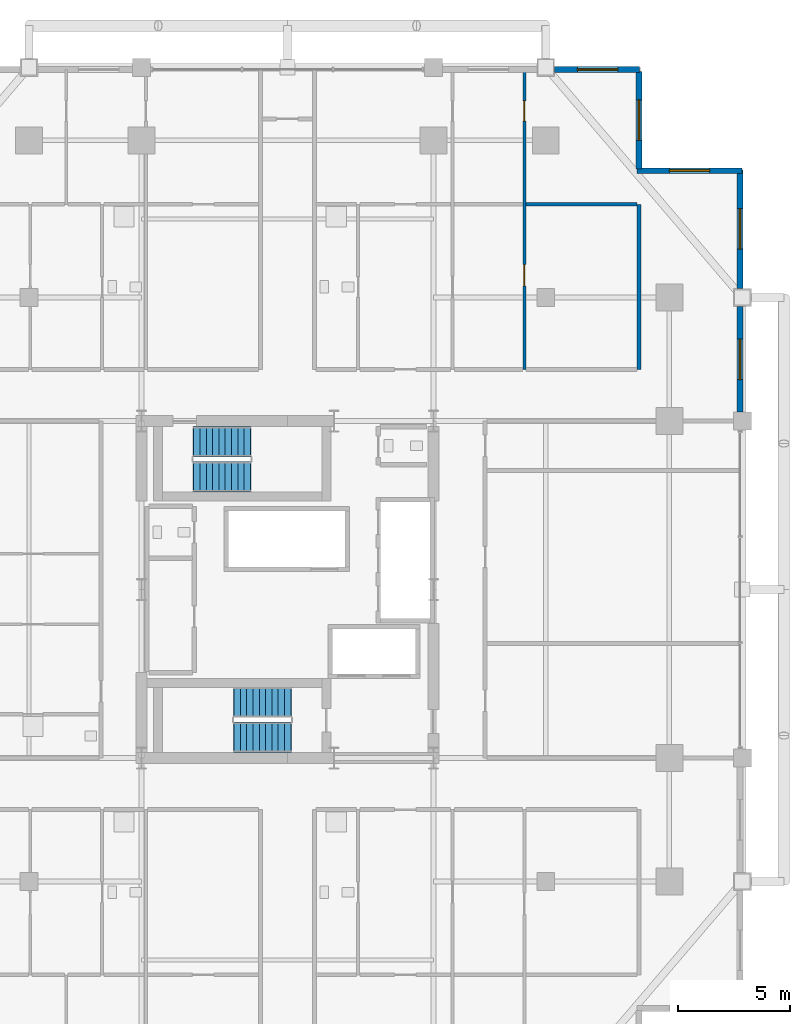
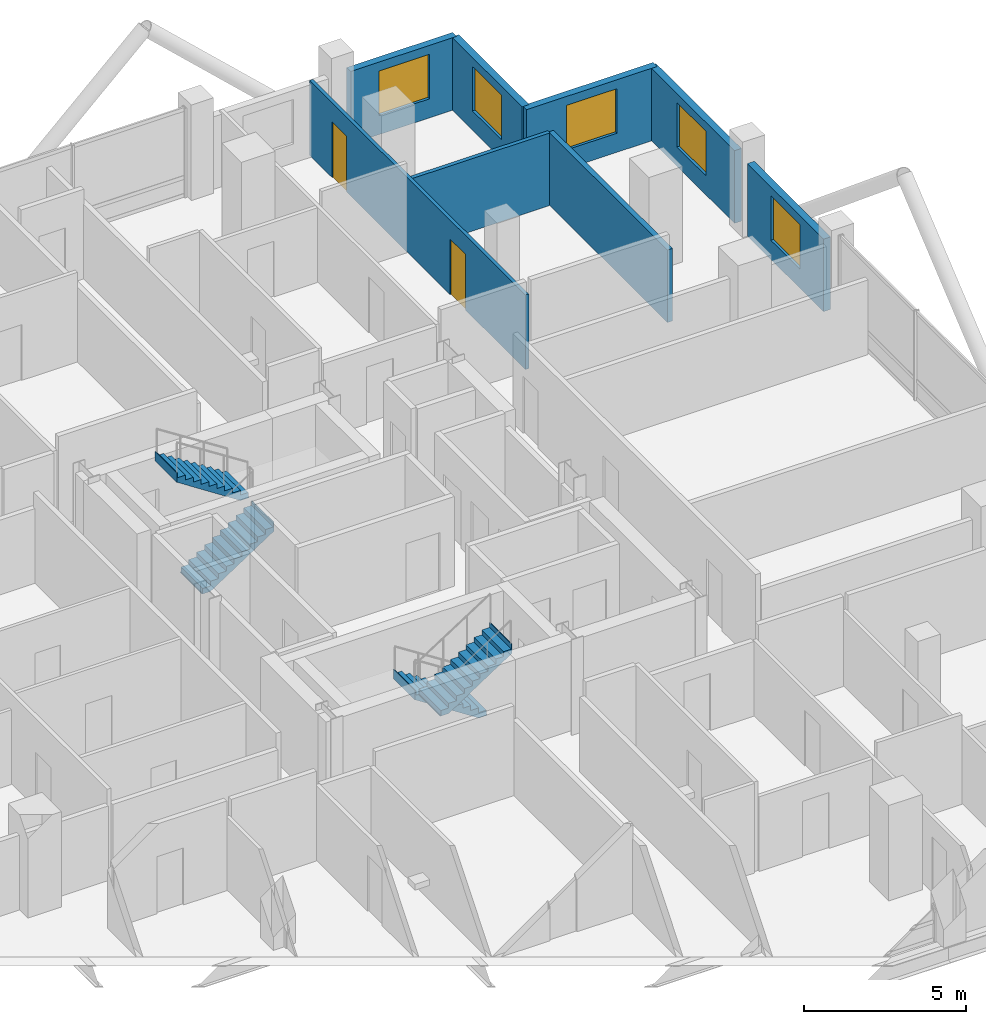
# One storey, part 23 of 25: 8 walls, 5 windows, 4 stair flights, 2 doors, 7 openings, 2 elements without a shape of their own.
"""IFC4 building model written with IfcOpenShell, lengths in metres."""

from ifc_helpers import new_model, si_unit, direction, frame, frame_2d, origin, place, context, subcontext, project, spatial, polyline, rectangle, outline, extrude, material, layer, layer_set, type_object, element, fill, aggregate, save


model = new_model("IFC4")

# Units and contexts
model_context = context("Model", 3, precision=1e-05, world=origin(), true_north=direction((0.0, 1.0)))
body_context = subcontext(model_context, "Body", "Model", "MODEL_VIEW")
ifc_project = project(units=[si_unit("LENGTHUNIT", "METRE"), si_unit("AREAUNIT", "SQUARE_METRE"), si_unit("VOLUMEUNIT", "CUBIC_METRE"), si_unit("PLANEANGLEUNIT", "RADIAN"), si_unit("MASSUNIT", "GRAM", prefix="KILO")], contexts=[model_context])

# Site, building, storey
site_placement = place(None, origin())
site = spatial("IfcSite", under=ifc_project, at=site_placement, CompositionType="ELEMENT")
building_placement = place(site_placement, origin())
building = spatial("IfcBuilding", under=site, at=building_placement, Name="Barlavira Tower and Art Museum", CompositionType="ELEMENT")
storey_placement = place(building_placement, frame((0.0, 0.0, 133.199951171875)))
storey = spatial("IfcBuildingStorey", under=building, at=storey_placement, Name="L33", CompositionType="ELEMENT", Elevation=133.199951171875)

# Wall, openings, doors
ifc_material_1 = material(Name="Gypsum acoustic stud partition", Category="gypsum")
ifc_layer_1 = layer(ifc_material_1, 0.1201171875, Name="Gypsum acoustic stud partition")
ifc_layer_set_1 = layer_set([ifc_layer_1], Name="Gypsum acoustic stud partition")
wall_type_1 = type_object("IfcWallType", Name="Apartment Internal Acoustic Partition 120", PredefinedType="PARTITIONING", material=ifc_layer_set_1)
wall_1_placement = place(storey_placement, frame((10.550048828125, 9.800048828125, 0.0), z_axis=(0.0, 0.0, 1.0), x_axis=(0.0, 1.0, 0.0)))
wall_1 = element("IfcWall", 1, at=wall_1_placement, inside=storey, type_object=wall_type_1, Name="L33 Partition Wall 26", PredefinedType="PARTITIONING", context=body_context, shape_type="SweptSolid", body=[
    extrude(rectangle(XDim=13.349853515625, YDim=0.1201171875, at=frame_2d((6.6748046875, 0.0))), origin(), (0.0, 0.0, 1.0), 2.816162109375),
])
opening_1_placement = place(wall_1_placement, frame((3.71337890625, 0.0, 0.0)))
opening_1 = element("IfcOpeningElement", 2, at=opening_1_placement, cuts=wall_1, Name="Opening D-02", PredefinedType="OPENING", context=body_context, shape_type="SweptSolid", body=[
    extrude(rectangle(XDim=0.949951171875, YDim=2.10009765625, at=frame_2d((0.47509765625, 1.050048828125))), frame((0.0, 0.070068359375, 0.0), z_axis=(0.0, -1.0, 0.0), x_axis=(1.0, 0.0, 0.0)), (0.0, 0.0, 1.0), 0.14013671875),
])
opening_2_placement = place(wall_1_placement, frame((11.051025390625, 0.0, 0.0)))
opening_2 = element("IfcOpeningElement", 3, at=opening_2_placement, cuts=wall_1, Name="Opening D-01", PredefinedType="OPENING", context=body_context, shape_type="SweptSolid", body=[
    extrude(rectangle(XDim=0.89990234375, YDim=2.10009765625, at=frame_2d((0.449951171875, 1.050048828125))), frame((0.0, 0.070068359375, 0.0), z_axis=(0.0, -1.0, 0.0), x_axis=(1.0, 0.0, 0.0)), (0.0, 0.0, 1.0), 0.14013671875),
])
ifc_material_2 = material(Name="Engineered coastal hardwood", Category="wood")
door_type_1 = type_object("IfcDoorType", Name="Internal Bedroom Timber Flush Door 900x2100", OperationType="NOTDEFINED", PredefinedType="DOOR", material=ifc_material_2)
door_1_placement = place(opening_2_placement, origin())
door_1 = element("IfcDoor", 4, at=door_1_placement, inside=storey, type_object=door_type_1, Name="Apartment NE1 Bedroom 2 Door", OperationType="SINGLE_SWING_RIGHT", OverallHeight=2.10009765625, OverallWidth=0.89990234375, PredefinedType="DOOR", context=body_context, shape_type="SweptSolid", body=[
    extrude(rectangle(XDim=0.89990234375, YDim=2.10009765625, at=frame_2d((0.449951171875, 1.050048828125))), frame((0.0, 0.02490234375, 0.0), z_axis=(0.0, -1.0, 0.0), x_axis=(1.0, 0.0, 0.0)), (0.0, 0.0, 1.0), 0.050048828125),
])
fill(opening_2, door_1)
door_type_2 = type_object("IfcDoorType", Name="Living and Salon Glazed-Leaf Door 950x2100", OperationType="NOTDEFINED", PredefinedType="DOOR", material=ifc_material_2)
door_2_placement = place(opening_1_placement, origin())
door_2 = element("IfcDoor", 5, at=door_2_placement, inside=storey, type_object=door_type_2, Name="Apartment NE1 Dining Salon Door", OperationType="SINGLE_SWING_LEFT", OverallHeight=2.10009765625, OverallWidth=0.949951171875, PredefinedType="DOOR", context=body_context, shape_type="SweptSolid", body=[
    extrude(rectangle(XDim=0.949951171875, YDim=2.10009765625, at=frame_2d((0.47509765625, 1.050048828125))), frame((0.0, 0.02490234375, 0.0), z_axis=(0.0, -1.0, 0.0), x_axis=(1.0, 0.0, 0.0)), (0.0, 0.0, 1.0), 0.050048828125),
])
fill(opening_1, door_2)

# Walls
ifc_layer_2 = layer(ifc_material_1, 0.179931640625, Name="Gypsum acoustic stud partition")
ifc_layer_set_2 = layer_set([ifc_layer_2], Name="Gypsum acoustic stud partition")
wall_type_2 = type_object("IfcWallType", Name="Inter-Tenancy Party Partition Wall 180", PredefinedType="PARTITIONING", material=ifc_layer_set_2)
wall_2_placement = place(storey_placement, frame((15.64990234375, 9.800048828125, 0.0), z_axis=(0.0, 0.0, 1.0), x_axis=(0.0, 1.0, 0.0)))
element("IfcWall", 6, at=wall_2_placement, inside=storey, type_object=wall_type_2, Name="L33 Partition Wall 28", PredefinedType="PARTITIONING", context=body_context, shape_type="SweptSolid", body=[
    extrude(rectangle(XDim=7.349853515625, YDim=0.179931640625, at=frame_2d((3.6748046875, 0.0))), origin(), (0.0, 0.0, 1.0), 2.736083984375),
])
ifc_layer_3 = layer(ifc_material_1, 0.139892578125, Name="Gypsum acoustic stud partition")
ifc_layer_set_3 = layer_set([ifc_layer_3], Name="Gypsum acoustic stud partition")
wall_type_3 = type_object("IfcWallType", Name="Moisture-Resistant Bathroom Partition 140", PredefinedType="PARTITIONING", material=ifc_layer_set_3)
wall_3_placement = place(storey_placement, frame((10.6298828125, 17.14990234375, 0.0), z_axis=(0.0, 0.0, 1.0), x_axis=(1.0, 0.0, 0.0)))
element("IfcWall", 7, at=wall_3_placement, inside=storey, type_object=wall_type_3, Name="L33 Partition Wall 81", PredefinedType="PARTITIONING", context=body_context, shape_type="SweptSolid", body=[
    extrude(rectangle(XDim=4.940185546875, YDim=0.139892578125, at=frame_2d((2.47021484375, 0.0))), origin(), (0.0, 0.0, 1.0), 2.736083984375),
])

# Wall, opening, window
ifc_material_3 = material(Name="Precast concrete C40", Category="concrete")
ifc_layer_4 = layer(ifc_material_3, 0.25, Name="Precast concrete C40")
ifc_layer_set_4 = layer_set([ifc_layer_4], Name="Precast concrete C40")
wall_type_4 = type_object("IfcWallType", Name="Notched Corner Spandrel Wall 250 Precast Concrete C40", PredefinedType="SOLIDWALL", material=ifc_layer_set_4)
wall_4_placement = place(storey_placement, frame((15.675048828125, 23.14990234375, 0.0), z_axis=(0.0, 0.0, 1.0), x_axis=(-1.0, 0.0, 0.0)))
wall_4 = element("IfcWall", 8, at=wall_4_placement, inside=storey, type_object=wall_type_4, Name="L33 Coastal Facade Pier Wall CW2-L33-N-1", PredefinedType="SOLIDWALL", context=body_context, shape_type="SweptSolid", body=[
    extrude(rectangle(XDim=3.780029296875, YDim=0.25, at=frame_2d((1.89013671875, 0.0))), origin(), (0.0, 0.0, 1.0), 2.736083984375),
])
opening_3_placement = place(wall_4_placement, frame((0.968017578125, 0.0, 0.719970703125)))
opening_3 = element("IfcOpeningElement", 9, at=opening_3_placement, cuts=wall_4, Name="Opening WN-01", PredefinedType="OPENING", context=body_context, shape_type="SweptSolid", body=[
    extrude(rectangle(XDim=1.800048828125, YDim=1.679931640625, at=frame_2d((0.89990234375, 0.83984375))), frame((0.0, 0.135009765625, 0.0), z_axis=(0.0, -1.0, 0.0), x_axis=(1.0, 0.0, 0.0)), (0.0, 0.0, 1.0), 0.27001953125),
])
ifc_material_4 = material(Name="Low-iron coastal laminated glass", Category="glass")
window_type = type_object("IfcWindowType", Name="Recessed Notch Corner Punch Window 1800x1680", PartitioningType="SINGLE_PANEL", PredefinedType="WINDOW", material=ifc_material_4)
window_1_placement = place(opening_3_placement, origin())
window_1 = element("IfcWindow", 10, at=window_1_placement, inside=storey, type_object=window_type, Name="L33 Punched Facade Window EWP-CW2-L33-N-1-1", OverallHeight=1.679931640625, OverallWidth=1.800048828125, PartitioningType="SINGLE_PANEL", PredefinedType="WINDOW", context=body_context, shape_type="SweptSolid", body=[
    extrude(rectangle(XDim=1.800048828125, YDim=1.679931640625, at=frame_2d((0.89990234375, 0.83984375))), frame((0.0, 0.030029296875, 0.0), z_axis=(0.0, -1.0, 0.0), x_axis=(1.0, 0.0, 0.0)), (0.0, 0.0, 1.0), 0.06005859375),
])
fill(opening_3, window_1)

wall_5_placement = place(storey_placement, frame((20.14990234375, 7.89501953125, 0.0), z_axis=(0.0, 0.0, 1.0), x_axis=(0.0, 1.0, 0.0)))
wall_5 = element("IfcWall", 11, at=wall_5_placement, inside=storey, type_object=wall_type_4, Name="L33 Coastal Facade Pier Wall CW2-L33-E-4", PredefinedType="SOLIDWALL", context=body_context, shape_type="SweptSolid", body=[
    extrude(rectangle(XDim=4.7099609375, YDim=0.25, at=frame_2d((2.35498046875, 0.0))), origin(), (0.0, 0.0, 1.0), 2.736083984375),
])
opening_4_placement = place(wall_5_placement, frame((1.455078125, 0.0, 0.719970703125)))
opening_4 = element("IfcOpeningElement", 12, at=opening_4_placement, cuts=wall_5, Name="Opening WN-01", PredefinedType="OPENING", context=body_context, shape_type="SweptSolid", body=[
    extrude(rectangle(XDim=1.800048828125, YDim=1.679931640625, at=frame_2d((0.89990234375, 0.83984375))), frame((0.0, 0.135009765625, 0.0), z_axis=(0.0, -1.0, 0.0), x_axis=(1.0, 0.0, 0.0)), (0.0, 0.0, 1.0), 0.27001953125),
])
window_2_placement = place(opening_4_placement, origin())
window_2 = element("IfcWindow", 13, at=window_2_placement, inside=storey, type_object=window_type, Name="L33 Punched Facade Window EWP-CW2-L33-E-4-1", OverallHeight=1.679931640625, OverallWidth=1.800048828125, PartitioningType="SINGLE_PANEL", PredefinedType="WINDOW", context=body_context, shape_type="SweptSolid", body=[
    extrude(rectangle(XDim=1.800048828125, YDim=1.679931640625, at=frame_2d((0.89990234375, 0.83984375))), frame((0.0, 0.030029296875, 0.0), z_axis=(0.0, -1.0, 0.0), x_axis=(1.0, 0.0, 0.0)), (0.0, 0.0, 1.0), 0.06005859375),
])
fill(opening_4, window_2)

wall_6_placement = place(storey_placement, frame((20.14990234375, 13.39501953125, 0.0), z_axis=(0.0, 0.0, 1.0), x_axis=(0.0, 1.0, 0.0)))
wall_6 = element("IfcWall", 14, at=wall_6_placement, inside=storey, type_object=wall_type_4, Name="L33 Coastal Facade Pier Wall CW2-L33-E-5", PredefinedType="SOLIDWALL", context=body_context, shape_type="SweptSolid", body=[
    extrude(rectangle(XDim=5.280029296875, YDim=0.25, at=frame_2d((2.64013671875, 0.0))), origin(), (0.0, 0.0, 1.0), 2.736083984375),
])
opening_5_placement = place(wall_6_placement, frame((1.762939453125, 0.0, 0.719970703125)))
opening_5 = element("IfcOpeningElement", 15, at=opening_5_placement, cuts=wall_6, Name="Opening WN-01", PredefinedType="OPENING", context=body_context, shape_type="SweptSolid", body=[
    extrude(rectangle(XDim=1.800048828125, YDim=1.679931640625, at=frame_2d((0.89990234375, 0.83984375))), frame((0.0, 0.135009765625, 0.0), z_axis=(0.0, -1.0, 0.0), x_axis=(1.0, 0.0, 0.0)), (0.0, 0.0, 1.0), 0.27001953125),
])
window_3_placement = place(opening_5_placement, origin())
window_3 = element("IfcWindow", 16, at=window_3_placement, inside=storey, type_object=window_type, Name="L33 Punched Facade Window EWP-CW2-L33-E-5-1", OverallHeight=1.679931640625, OverallWidth=1.800048828125, PartitioningType="SINGLE_PANEL", PredefinedType="WINDOW", context=body_context, shape_type="SweptSolid", body=[
    extrude(rectangle(XDim=1.800048828125, YDim=1.679931640625, at=frame_2d((0.89990234375, 0.83984375))), frame((0.0, 0.030029296875, 0.0), z_axis=(0.0, -1.0, 0.0), x_axis=(1.0, 0.0, 0.0)), (0.0, 0.0, 1.0), 0.06005859375),
])
fill(opening_5, window_3)

wall_7_placement = place(storey_placement, frame((20.22998046875, 18.64990234375, 0.0), z_axis=(0.0, 0.0, 1.0), x_axis=(-1.0, 0.0, 0.0)))
wall_7 = element("IfcWall", 17, at=wall_7_placement, inside=storey, type_object=wall_type_4, Name="L33 Notch Corner Wall NE1", PredefinedType="SOLIDWALL", context=body_context, shape_type="SweptSolid", body=[
    extrude(rectangle(XDim=4.659912109375, YDim=0.25, at=frame_2d((2.330078125, 0.0))), origin(), (0.0, 0.0, 1.0), 2.736083984375),
])
opening_6_placement = place(wall_7_placement, frame((1.429931640625, 0.0, 0.719970703125)))
opening_6 = element("IfcOpeningElement", 18, at=opening_6_placement, cuts=wall_7, Name="Opening WN-01", PredefinedType="OPENING", context=body_context, shape_type="SweptSolid", body=[
    extrude(rectangle(XDim=1.800048828125, YDim=1.679931640625, at=frame_2d((0.89990234375, 0.83984375))), frame((0.0, 0.135009765625, 0.0), z_axis=(0.0, -1.0, 0.0), x_axis=(1.0, 0.0, 0.0)), (0.0, 0.0, 1.0), 0.27001953125),
])
window_4_placement = place(opening_6_placement, origin())
window_4 = element("IfcWindow", 19, at=window_4_placement, inside=storey, type_object=window_type, Name="L33 Punched Facade Window EW-NTC-L33-NE1-1", OverallHeight=1.679931640625, OverallWidth=1.800048828125, PartitioningType="SINGLE_PANEL", PredefinedType="WINDOW", context=body_context, shape_type="SweptSolid", body=[
    extrude(rectangle(XDim=1.800048828125, YDim=1.679931640625, at=frame_2d((0.89990234375, 0.83984375))), frame((0.0, 0.030029296875, 0.0), z_axis=(0.0, -1.0, 0.0), x_axis=(1.0, 0.0, 0.0)), (0.0, 0.0, 1.0), 0.06005859375),
])
fill(opening_6, window_4)

wall_8_placement = place(storey_placement, frame((15.64990234375, 18.72998046875, 0.0), z_axis=(0.0, 0.0, 1.0), x_axis=(0.0, 1.0, 0.0)))
wall_8 = element("IfcWall", 20, at=wall_8_placement, inside=storey, type_object=wall_type_4, Name="L33 Notch Corner Wall NE2", PredefinedType="SOLIDWALL", context=body_context, shape_type="SweptSolid", body=[
    extrude(rectangle(XDim=4.340087890625, YDim=0.25, at=frame_2d((2.169921875, 0.0))), origin(), (0.0, 0.0, 1.0), 2.736083984375),
])
opening_7_placement = place(wall_8_placement, frame((1.27001953125, 0.0, 0.719970703125)))
opening_7 = element("IfcOpeningElement", 21, at=opening_7_placement, cuts=wall_8, Name="Opening WN-01", PredefinedType="OPENING", context=body_context, shape_type="SweptSolid", body=[
    extrude(rectangle(XDim=1.800048828125, YDim=1.679931640625, at=frame_2d((0.89990234375, 0.83984375))), frame((0.0, 0.135009765625, 0.0), z_axis=(0.0, -1.0, 0.0), x_axis=(1.0, 0.0, 0.0)), (0.0, 0.0, 1.0), 0.27001953125),
])
window_5_placement = place(opening_7_placement, origin())
window_5 = element("IfcWindow", 22, at=window_5_placement, inside=storey, type_object=window_type, Name="L33 Punched Facade Window EW-NTC-L33-NE2-1", OverallHeight=1.679931640625, OverallWidth=1.800048828125, PartitioningType="SINGLE_PANEL", PredefinedType="WINDOW", context=body_context, shape_type="SweptSolid", body=[
    extrude(rectangle(XDim=1.800048828125, YDim=1.679931640625, at=frame_2d((0.89990234375, 0.83984375))), frame((0.0, 0.030029296875, 0.0), z_axis=(0.0, -1.0, 0.0), x_axis=(1.0, 0.0, 0.0)), (0.0, 0.0, 1.0), 0.06005859375),
])
fill(opening_7, window_5)

# Stair, stair flights
ifc_material_5 = material(Name="Concrete C45", Category="concrete")
stair_type_1 = type_object("IfcStairType", Name="Tower North Dog-Leg Exit Stair Assembly Concrete C45", PredefinedType="TWO_QUARTER_TURN_STAIR", material=ifc_material_5)
stair_1_placement = place(storey_placement, origin())
stair_1 = element("IfcStair", 23, at=stair_1_placement, inside=storey, type_object=stair_type_1, Name="L33 Tower North Exit Stair ST-T2", PredefinedType="TWO_QUARTER_TURN_STAIR")
ifc_material_6 = material(Name="Precast concrete C45", Category="concrete")
stair_flight_type_1 = type_object("IfcStairFlightType", Name="Tower North Dog-Leg Exit Stair Precast Flight 1350 Concrete C45", PredefinedType="STRAIGHT", material=ifc_material_6)
stair_flight_1_placement = place(storey_placement, frame((-4.169921875, 5.02490234375, 0.0), z_axis=(0.0, 0.0, 1.0), x_axis=(1.0, 0.0, 0.0)))
stair_flight_1 = element("IfcStairFlight", 24, at=stair_flight_1_placement, type_object=stair_flight_type_1, Name="ST-T2 flight 1", NumberOfRisers=10, NumberOfTreads=9, PredefinedType="STRAIGHT", RiserHeight=0.18, TreadLength=0.28, context=body_context, shape_type="SweptSolid", body=[
    extrude(outline(polyline([(-0.02490234375, 0.0), (0.0, 0.0), (0.0, 0.179931640625), (0.280029296875, 0.179931640625), (0.280029296875, 0.360107421875), (0.56005859375, 0.360107421875), (0.56005859375, 0.5400390625), (0.840087890625, 0.5400390625), (0.840087890625, 0.719970703125), (1.1201171875, 0.719970703125), (1.1201171875, 0.89990234375), (1.39990234375, 0.89990234375), (1.39990234375, 1.080078125), (1.679931640625, 1.080078125), (1.679931640625, 1.260009765625), (1.9599609375, 1.260009765625), (1.9599609375, 1.43994140625), (2.239990234375, 1.43994140625), (2.239990234375, 1.6201171875), (2.52001953125, 1.6201171875), (2.52001953125, 1.800048828125), (2.544921875, 1.800048828125), (2.544921875, 1.44189453125), (2.52001953125, 1.44189453125), (0.277099609375, -0.02490234375), (-0.02490234375, -0.02490234375), (-0.02490234375, 0.0)])), frame((0.0, 0.675048828125, 0.0), z_axis=(0.0, -1.0, 0.0), x_axis=(1.0, 0.0, 0.0)), (0.0, 0.0, 1.0), 1.35009765625),
])
stair_flight_2_placement = place(storey_placement, frame((-1.64990234375, 6.574951171875, 1.800048828125), z_axis=(0.0, 0.0, 1.0), x_axis=(-1.0, 0.0, 0.0)))
stair_flight_2 = element("IfcStairFlight", 25, at=stair_flight_2_placement, type_object=stair_flight_type_1, Name="ST-T2 flight 2", NumberOfRisers=10, NumberOfTreads=9, PredefinedType="STRAIGHT", RiserHeight=0.18, TreadLength=0.28, context=body_context, shape_type="SweptSolid", body=[
    extrude(outline(polyline([(-0.02490234375, 0.0), (0.0, 0.0), (0.0, 0.179931640625), (0.280029296875, 0.179931640625), (0.280029296875, 0.360107421875), (0.56005859375, 0.360107421875), (0.56005859375, 0.5400390625), (0.840087890625, 0.5400390625), (0.840087890625, 0.719970703125), (1.1201171875, 0.719970703125), (1.1201171875, 0.89990234375), (1.39990234375, 0.89990234375), (1.39990234375, 1.080078125), (1.679931640625, 1.080078125), (1.679931640625, 1.260009765625), (1.9599609375, 1.260009765625), (1.9599609375, 1.43994140625), (2.239990234375, 1.43994140625), (2.239990234375, 1.6201171875), (2.52001953125, 1.6201171875), (2.52001953125, 1.800048828125), (2.544921875, 1.800048828125), (2.544921875, 1.44189453125), (2.52001953125, 1.44189453125), (0.277099609375, -0.02490234375), (-0.02490234375, -0.02490234375), (-0.02490234375, 0.0)])), frame((0.0, 0.675048828125, 0.0), z_axis=(0.0, -1.0, 0.0), x_axis=(1.0, 0.0, 0.0)), (0.0, 0.0, 1.0), 1.35009765625),
])
aggregate(stair_1, [stair_flight_1, stair_flight_2])

stair_type_2 = type_object("IfcStairType", Name="Tower South Dog-Leg Exit Stair Assembly Concrete C45", PredefinedType="TWO_QUARTER_TURN_STAIR", material=ifc_material_5)
stair_2_placement = place(storey_placement, origin())
stair_2 = element("IfcStair", 26, at=stair_2_placement, inside=storey, type_object=stair_type_2, Name="L33 Tower South Exit Stair ST-T1", PredefinedType="TWO_QUARTER_TURN_STAIR")
stair_flight_type_2 = type_object("IfcStairFlightType", Name="Tower South Dog-Leg Exit Stair Precast Flight 1350 Concrete C45", PredefinedType="STRAIGHT", material=ifc_material_6)
stair_flight_3_placement = place(storey_placement, frame((0.14990234375, -5.02490234375, 0.0), z_axis=(0.0, 0.0, 1.0), x_axis=(-1.0, 0.0, 0.0)))
stair_flight_3 = element("IfcStairFlight", 27, at=stair_flight_3_placement, type_object=stair_flight_type_2, Name="ST-T1 flight 1", NumberOfRisers=10, NumberOfTreads=9, PredefinedType="STRAIGHT", RiserHeight=0.18, TreadLength=0.28, context=body_context, shape_type="SweptSolid", body=[
    extrude(outline(polyline([(-0.02490234375, 0.0), (0.0, 0.0), (0.0, 0.179931640625), (0.280029296875, 0.179931640625), (0.280029296875, 0.360107421875), (0.56005859375, 0.360107421875), (0.56005859375, 0.5400390625), (0.840087890625, 0.5400390625), (0.840087890625, 0.719970703125), (1.1201171875, 0.719970703125), (1.1201171875, 0.89990234375), (1.39990234375, 0.89990234375), (1.39990234375, 1.080078125), (1.679931640625, 1.080078125), (1.679931640625, 1.260009765625), (1.9599609375, 1.260009765625), (1.9599609375, 1.43994140625), (2.239990234375, 1.43994140625), (2.239990234375, 1.6201171875), (2.52001953125, 1.6201171875), (2.52001953125, 1.800048828125), (2.544921875, 1.800048828125), (2.544921875, 1.44189453125), (2.52001953125, 1.44189453125), (0.277099609375, -0.02490234375), (-0.02490234375, -0.02490234375), (-0.02490234375, 0.0)])), frame((0.0, 0.675048828125, 0.0), z_axis=(0.0, -1.0, 0.0), x_axis=(1.0, 0.0, 0.0)), (0.0, 0.0, 1.0), 1.35009765625),
])
stair_flight_4_placement = place(storey_placement, frame((-2.3701171875, -6.574951171875, 1.800048828125), z_axis=(0.0, 0.0, 1.0), x_axis=(1.0, 0.0, 0.0)))
stair_flight_4 = element("IfcStairFlight", 28, at=stair_flight_4_placement, type_object=stair_flight_type_2, Name="ST-T1 flight 2", NumberOfRisers=10, NumberOfTreads=9, PredefinedType="STRAIGHT", RiserHeight=0.18, TreadLength=0.28, context=body_context, shape_type="SweptSolid", body=[
    extrude(outline(polyline([(-0.02490234375, 0.0), (0.0, 0.0), (0.0, 0.179931640625), (0.280029296875, 0.179931640625), (0.280029296875, 0.360107421875), (0.56005859375, 0.360107421875), (0.56005859375, 0.5400390625), (0.840087890625, 0.5400390625), (0.840087890625, 0.719970703125), (1.1201171875, 0.719970703125), (1.1201171875, 0.89990234375), (1.39990234375, 0.89990234375), (1.39990234375, 1.080078125), (1.679931640625, 1.080078125), (1.679931640625, 1.260009765625), (1.9599609375, 1.260009765625), (1.9599609375, 1.43994140625), (2.239990234375, 1.43994140625), (2.239990234375, 1.6201171875), (2.52001953125, 1.6201171875), (2.52001953125, 1.800048828125), (2.544921875, 1.800048828125), (2.544921875, 1.44189453125), (2.52001953125, 1.44189453125), (0.277099609375, -0.02490234375), (-0.02490234375, -0.02490234375), (-0.02490234375, 0.0)])), frame((0.0, 0.675048828125, 0.0), z_axis=(0.0, -1.0, 0.0), x_axis=(1.0, 0.0, 0.0)), (0.0, 0.0, 1.0), 1.35009765625),
])
aggregate(stair_2, [stair_flight_3, stair_flight_4])

save(model, "model.ifc")
